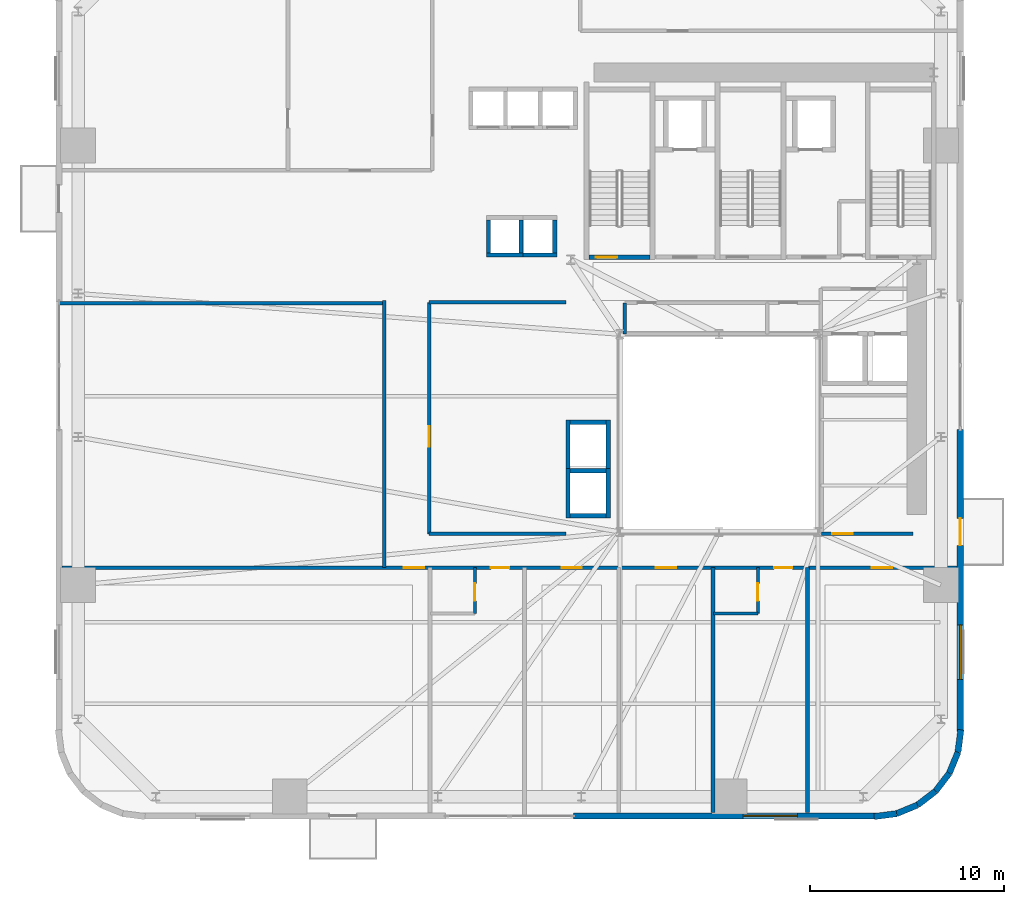
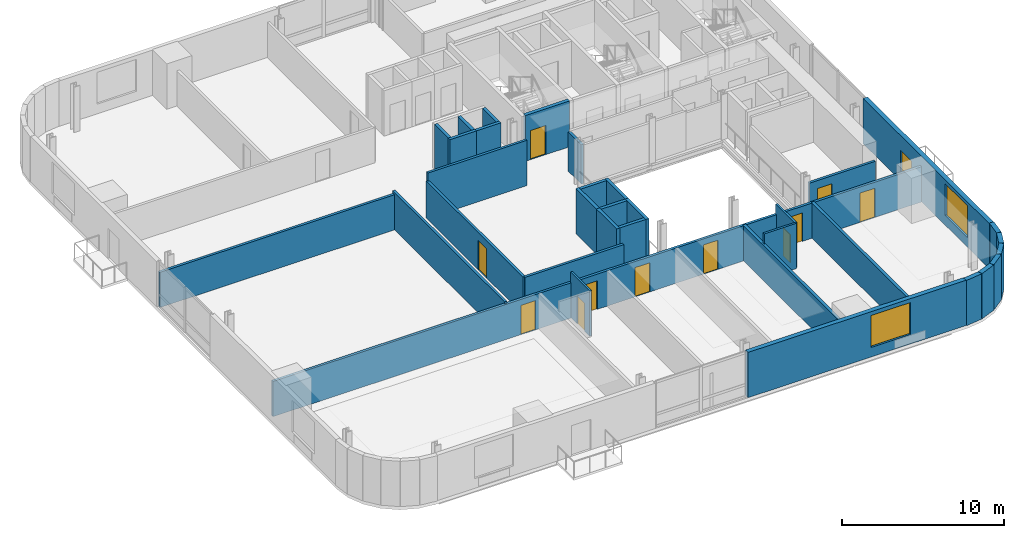
# One storey, part 6 of 13: 34 walls, 12 doors, 2 windows, 14 openings.
"""IFC4 building model written with IfcOpenShell, lengths in metres."""

from ifc_helpers import new_model, si_unit, direction, frame, frame_2d, origin, place, context, subcontext, project, spatial, rectangle, extrude, source, transform, mapped, material, layer, layer_set, type_object, element, fill, save


model = new_model("IFC4")

# Units and contexts
model_context = context("Model", 3, precision=1e-05, world=origin(), true_north=direction((0.0, 1.0)))
body_context = subcontext(model_context, "Body", "Model", "MODEL_VIEW")
ifc_project = project(units=[si_unit("LENGTHUNIT", "METRE"), si_unit("AREAUNIT", "SQUARE_METRE"), si_unit("VOLUMEUNIT", "CUBIC_METRE"), si_unit("PLANEANGLEUNIT", "RADIAN"), si_unit("MASSUNIT", "GRAM", prefix="KILO")], contexts=[model_context])

# Site, building, storey
site_placement = place(None, origin())
site = spatial("IfcSite", under=ifc_project, at=site_placement, CompositionType="ELEMENT")
building_placement = place(site_placement, origin())
building = spatial("IfcBuilding", under=site, at=building_placement, Name="Vardaveli Station Tower", CompositionType="ELEMENT")
storey_placement = place(building_placement, frame((0.0, 0.0, 49.5)))
storey = spatial("IfcBuildingStorey", under=building, at=storey_placement, Name="L12", CompositionType="ELEMENT", Elevation=49.5)

# Wall, opening, window
ifc_material_1 = material(Name="Precast concrete C45/55", Category="concrete")
ifc_layer_1 = layer(ifc_material_1, 0.320068359375, Name="Precast concrete C45/55")
ifc_layer_set_1 = layer_set([ifc_layer_1], Name="Precast concrete C45/55")
wall_type_1 = type_object("IfcWallType", Name="WAL-EXT-STONE-320", PredefinedType="SOLIDWALL", material=ifc_layer_set_1)
shared_shape_1 = source(origin(), body_context, "Body", "SweptSolid", [
    extrude(rectangle(XDim=15.599853515625, YDim=0.320068359375, at=frame_2d((7.7998046875, 0.0))), origin(), (0.0, 0.0, 1.0), 3.409912109375),
])
wall_1_placement = place(storey_placement, frame((28.800048828125, 1.9599609375, 0.0), z_axis=(0.0, 0.0, 1.0), x_axis=(1.0, 0.0, 0.0)))
wall_1 = element("IfcWall", 1, at=wall_1_placement, inside=storey, type_object=wall_type_1, Name="EW-L12-S2", PredefinedType="SOLIDWALL", context=body_context, shape_type="MappedRepresentation", body=[
    mapped(shared_shape_1, transform((0.0, 0.0, 0.0), scale=1.0)),
])
shared_shape_2 = source(origin(), body_context, "Body", "SweptSolid", [
    extrude(rectangle(XDim=2.800048828125, YDim=2.39990234375, at=frame_2d((1.39990234375, 1.199951171875))), frame((0.0, 0.169921875, 0.0), z_axis=(0.0, -1.0, 0.0), x_axis=(1.0, 0.0, 0.0)), (0.0, 0.0, 1.0), 0.340087890625),
])
opening_1_placement = place(wall_1_placement, frame((8.7451171875, 0.0, 0.719970703125)))
opening_1 = element("IfcOpeningElement", 2, at=opening_1_placement, cuts=wall_1, Name="Opening W-04", PredefinedType="OPENING", context=body_context, shape_type="MappedRepresentation", body=[
    mapped(shared_shape_2, transform((0.0, 0.0, 0.0), scale=1.0)),
])
ifc_material_2 = material(Name="Low-E solar-control glass", Category="glass")
window_type = type_object("IfcWindowType", Name="WIN-SUITE-2800x2400", PartitioningType="SINGLE_PANEL", PredefinedType="WINDOW", material=ifc_material_2)
shared_shape_3 = source(origin(), body_context, "Body", "SweptSolid", [
    extrude(rectangle(XDim=2.800048828125, YDim=2.39990234375, at=frame_2d((1.39990234375, 1.199951171875))), frame((0.0, 0.030029296875, 0.0), z_axis=(0.0, -1.0, 0.0), x_axis=(1.0, 0.0, 0.0)), (0.0, 0.0, 1.0), 0.06005859375),
])
window_1_placement = place(opening_1_placement, origin())
window_1 = element("IfcWindow", 3, at=window_1_placement, inside=storey, type_object=window_type, Name="WN-L12-S2", OverallHeight=2.39990234375, OverallWidth=2.800048828125, PartitioningType="SINGLE_PANEL", PredefinedType="WINDOW", context=body_context, shape_type="MappedRepresentation", body=[
    mapped(shared_shape_3, transform((0.0, 0.0, 0.0), scale=1.0)),
])
fill(opening_1, window_1)

# Wall, openings, door, window
wall_2_placement = place(storey_placement, frame((48.739990234375, 6.300048828125, 0.0), z_axis=(0.0, 0.0, 1.0), x_axis=(0.0, 1.0, 0.0)))
wall_2 = element("IfcWall", 4, at=wall_2_placement, inside=storey, type_object=wall_type_1, Name="EW-L12-E1", PredefinedType="SOLIDWALL", context=body_context, shape_type="MappedRepresentation", body=[
    mapped(shared_shape_1, transform((0.0, 0.0, 0.0), scale=1.0)),
])
shared_shape_4 = source(origin(), body_context, "Body", "SweptSolid", [
    extrude(rectangle(XDim=1.39990234375, YDim=2.300048828125, at=frame_2d((0.699951171875, 1.14990234375))), frame((0.0, 0.169921875, 0.0), z_axis=(0.0, -1.0, 0.0), x_axis=(1.0, 0.0, 0.0)), (0.0, 0.0, 1.0), 0.340087890625),
])
opening_2_placement = place(wall_2_placement, frame((9.6103515625, 0.0, 0.0)))
opening_2 = element("IfcOpeningElement", 5, at=opening_2_placement, cuts=wall_2, Name="Opening D-09", PredefinedType="OPENING", context=body_context, shape_type="MappedRepresentation", body=[
    mapped(shared_shape_4, transform((0.0, 0.0, 0.0), scale=1.0)),
])
opening_3_placement = place(wall_2_placement, frame((2.705078125, 0.0, 0.719970703125)))
opening_3 = element("IfcOpeningElement", 6, at=opening_3_placement, cuts=wall_2, Name="Opening W-04", PredefinedType="OPENING", context=body_context, shape_type="MappedRepresentation", body=[
    mapped(shared_shape_2, transform((0.0, 0.0, 0.0), scale=1.0)),
])
ifc_material_3 = material(Name="Thermally broken aluminium glass", Category="aluminium")
door_type_1 = type_object("IfcDoorType", Name="DR-LOG-1400x2300", OperationType="DOUBLE_DOOR_SLIDING", PredefinedType="DOOR", material=ifc_material_3)
shared_shape_5 = source(origin(), body_context, "Body", "SweptSolid", [
    extrude(rectangle(XDim=1.39990234375, YDim=2.300048828125, at=frame_2d((0.699951171875, 1.14990234375))), frame((0.0, 0.02490234375, 0.0), z_axis=(0.0, -1.0, 0.0), x_axis=(1.0, 0.0, 0.0)), (0.0, 0.0, 1.0), 0.050048828125),
])
door_1_placement = place(opening_2_placement, frame((1.39990234375, 0.0, 0.0), z_axis=(0.0, 0.0, 1.0), x_axis=(-1.0, 0.0, 0.0)))
door_1 = element("IfcDoor", 7, at=door_1_placement, inside=storey, type_object=door_type_1, Name="DLG-L12-E", OperationType="DOUBLE_DOOR_SLIDING", OverallHeight=2.300048828125, OverallWidth=1.39990234375, PredefinedType="DOOR", context=body_context, shape_type="MappedRepresentation", body=[
    mapped(shared_shape_5, transform((0.0, 0.0, 0.0), scale=1.0)),
])
fill(opening_2, door_1)
window_2_placement = place(opening_3_placement, origin())
window_2 = element("IfcWindow", 8, at=window_2_placement, inside=storey, type_object=window_type, Name="WN-L12-E1", OverallHeight=2.39990234375, OverallWidth=2.800048828125, PartitioningType="SINGLE_PANEL", PredefinedType="WINDOW", context=body_context, shape_type="MappedRepresentation", body=[
    mapped(shared_shape_3, transform((0.0, 0.0, 0.0), scale=1.0)),
])
fill(opening_3, window_2)

# Walls
shared_shape_6 = source(origin(), body_context, "Body", "SweptSolid", [
    extrude(rectangle(XDim=1.170654296875, YDim=0.320068359375, at=frame_2d((0.58544921875, 0.0))), origin(), (0.0, 0.0, 1.0), 3.409912109375),
])
wall_3_placement = place(storey_placement, frame((48.62548828125, 5.23974609375, 0.0), z_axis=(0.0, 0.0, 1.0), x_axis=(0.128269133229, 0.991739395941, 0.0)))
element("IfcWall", 9, at=wall_3_placement, inside=storey, type_object=wall_type_1, Name="EW-L12-CR2-6", PredefinedType="SOLIDWALL", context=body_context, shape_type="MappedRepresentation", body=[
    mapped(shared_shape_6, transform((0.0, 0.0, 0.0), scale=1.0)),
])
shared_shape_7 = source(origin(), body_context, "Body", "SweptSolid", [
    extrude(rectangle(XDim=1.1689453125, YDim=0.320068359375, at=frame_2d((0.58447265625, 0.0))), origin(), (0.0, 0.0, 1.0), 3.409912109375),
])
for number, where, z_axis, x_axis, name in (
    (10, (47.46875, 3.231201171875, 0.0), (0.0, 0.0, 1.0), (0.608387696831, 0.793639975269, 0.0), "EW-L12-CR2-4"),
    (11, (48.179931640625, 4.158935546875, 0.0), (0.0, 0.0, 1.0), (0.381127904695, 0.924522320046, 0.0), "EW-L12-CR2-5"),
):
    element("IfcWall", number, at=place(storey_placement, frame(where, z_axis=z_axis, x_axis=x_axis)), inside=storey, type_object=wall_type_1, Name=name, PredefinedType="SOLIDWALL", context=body_context, shape_type="MappedRepresentation", body=[
        mapped(shared_shape_7, transform((0.0, 0.0, 0.0), scale=1.0)),
    ])
shared_shape_8 = source(origin(), body_context, "Body", "SweptSolid", [
    extrude(rectangle(XDim=1.168701171875, YDim=0.320068359375, at=frame_2d((0.58447265625, 0.0))), origin(), (0.0, 0.0, 1.0), 3.409912109375),
])
wall_4_placement = place(storey_placement, frame((46.541259765625, 2.520263671875, 0.0), z_axis=(0.0, 0.0, 1.0), x_axis=(0.793663520347, 0.608356981114, 0.0)))
element("IfcWall", 12, at=wall_4_placement, inside=storey, type_object=wall_type_1, Name="EW-L12-CR2-3", PredefinedType="SOLIDWALL", context=body_context, shape_type="MappedRepresentation", body=[
    mapped(shared_shape_8, transform((0.0, 0.0, 0.0), scale=1.0)),
])
shared_shape_9 = source(origin(), body_context, "Body", "SweptSolid", [
    extrude(rectangle(XDim=1.16943359375, YDim=0.320068359375, at=frame_2d((0.584716796875, 0.0))), origin(), (0.0, 0.0, 1.0), 3.409912109375),
])
wall_5_placement = place(storey_placement, frame((45.460205078125, 2.074462890625, 0.0), z_axis=(0.0, 0.0, 1.0), x_axis=(0.924479075121, 0.381232789334, 0.0)))
element("IfcWall", 13, at=wall_5_placement, inside=storey, type_object=wall_type_1, Name="EW-L12-CR2-2", PredefinedType="SOLIDWALL", context=body_context, shape_type="MappedRepresentation", body=[
    mapped(shared_shape_9, transform((0.0, 0.0, 0.0), scale=1.0)),
])
shared_shape_10 = source(origin(), body_context, "Body", "SweptSolid", [
    extrude(rectangle(XDim=1.170166015625, YDim=0.320068359375, at=frame_2d((0.5849609375, 0.0))), origin(), (0.0, 0.0, 1.0), 3.409912109375),
])
wall_6_placement = place(storey_placement, frame((44.299560546875, 1.924560546875, 0.0), z_axis=(0.0, 0.0, 1.0), x_axis=(0.991762485493, 0.128090485085, 0.0)))
element("IfcWall", 14, at=wall_6_placement, inside=storey, type_object=wall_type_1, Name="EW-L12-CR2-1", PredefinedType="SOLIDWALL", context=body_context, shape_type="MappedRepresentation", body=[
    mapped(shared_shape_10, transform((0.0, 0.0, 0.0), scale=1.0)),
])

# Wall, opening, door
ifc_material_4 = material(Name="Concrete C40/50", Category="concrete")
ifc_layer_2 = layer(ifc_material_4, 0.25, Name="Concrete C40/50")
ifc_layer_set_2 = layer_set([ifc_layer_2], Name="Concrete C40/50")
wall_type_2 = type_object("IfcWallType", Name="WAL-SHAFT-250", PredefinedType="SOLIDWALL", material=ifc_layer_set_2)
shared_shape_11 = source(origin(), body_context, "Body", "SweptSolid", [
    extrude(rectangle(XDim=3.14990234375, YDim=0.25, at=frame_2d((1.574951171875, 0.0))), origin(), (0.0, 0.0, 1.0), 3.449951171875),
])
wall_7_placement = place(storey_placement, frame((29.60009765625, 30.77490234375, 0.0), z_axis=(0.0, 0.0, 1.0), x_axis=(1.0, 0.0, 0.0)))
wall_7 = element("IfcWall", 15, at=wall_7_placement, inside=storey, type_object=wall_type_2, Name="W-L12-ST-1S", PredefinedType="SOLIDWALL", context=body_context, shape_type="MappedRepresentation", body=[
    mapped(shared_shape_11, transform((0.0, 0.0, 0.0), scale=1.0)),
])
shared_shape_12 = source(origin(), body_context, "Body", "SweptSolid", [
    extrude(rectangle(XDim=1.10009765625, YDim=2.199951171875, at=frame_2d((0.550048828125, 1.10009765625))), frame((0.0, 0.135009765625, 0.0), z_axis=(0.0, -1.0, 0.0), x_axis=(1.0, 0.0, 0.0)), (0.0, 0.0, 1.0), 0.27001953125),
])
opening_4_placement = place(wall_7_placement, frame((0.35009765625, 0.0, 0.0)))
opening_4 = element("IfcOpeningElement", 16, at=opening_4_placement, cuts=wall_7, Name="Opening D-04", PredefinedType="OPENING", context=body_context, shape_type="MappedRepresentation", body=[
    mapped(shared_shape_12, transform((0.0, 0.0, 0.0), scale=1.0)),
])
ifc_material_5 = material(Name="Steel smokeproof fire doorset", Category="steel")
door_type_2 = type_object("IfcDoorType", Name="DR-ST-1100x2200", OperationType="NOTDEFINED", PredefinedType="DOOR", material=ifc_material_5)
shared_shape_13 = source(origin(), body_context, "Body", "SweptSolid", [
    extrude(rectangle(XDim=1.10009765625, YDim=2.199951171875, at=frame_2d((0.550048828125, 1.10009765625))), frame((0.0, 0.02490234375, 0.0), z_axis=(0.0, -1.0, 0.0), x_axis=(1.0, 0.0, 0.0)), (0.0, 0.0, 1.0), 0.050048828125),
])
door_2_placement = place(opening_4_placement, origin())
door_2 = element("IfcDoor", 17, at=door_2_placement, inside=storey, type_object=door_type_2, Name="DST-1-L12", OperationType="SINGLE_SWING_LEFT", OverallHeight=2.199951171875, OverallWidth=1.10009765625, PredefinedType="DOOR", context=body_context, shape_type="MappedRepresentation", body=[
    mapped(shared_shape_13, transform((0.0, 0.0, 0.0), scale=1.0)),
])
fill(opening_4, door_2)

# Walls
ifc_layer_3 = layer(ifc_material_4, 0.219970703125, Name="Concrete C40/50")
ifc_layer_set_3 = layer_set([ifc_layer_3], Name="Concrete C40/50")
wall_type_3 = type_object("IfcWallType", Name="WAL-FFLOBBY-220", PredefinedType="SOLIDWALL", material=ifc_layer_set_3)
shared_shape_14 = source(origin(), body_context, "Body", "SweptSolid", [
    extrude(rectangle(XDim=1.89013671875, YDim=0.219970703125, at=frame_2d((0.945068359375, 0.0))), origin(), (0.0, 0.0, 1.0), 3.409912109375),
])
for number, where, z_axis, x_axis, name in (
    (18, (24.304931640625, 30.889892578125, 0.0), (0.0, 0.0, 1.0), (1.0, 0.0, 0.0), "SHW-SHU-01-L12-S"),
    (19, (26.054931640625, 30.889892578125, 0.0), (0.0, 0.0, 1.0), (1.0, 0.0, 0.0), "SHW-SHU-02-L12-S"),
):
    element("IfcWall", number, at=place(storey_placement, frame(where, z_axis=z_axis, x_axis=x_axis)), inside=storey, type_object=wall_type_3, Name=name, PredefinedType="SOLIDWALL", context=body_context, shape_type="MappedRepresentation", body=[
        mapped(shared_shape_14, transform((0.0, 0.0, 0.0), scale=1.0)),
    ])
shared_shape_15 = source(origin(), body_context, "Body", "SweptSolid", [
    extrude(rectangle(XDim=1.699951171875, YDim=0.219970703125, at=frame_2d((0.85009765625, 0.0))), origin(), (0.0, 0.0, 1.0), 3.409912109375),
])
for number, where, z_axis, x_axis, name in (
    (20, (24.4150390625, 31.0, 0.0), (0.0, 0.0, 1.0), (0.0, 1.0, 0.0), "SHW-SHU-01-L12-W"),
    (21, (26.0849609375, 31.0, 0.0), (0.0, 0.0, 1.0), (0.0, 1.0, 0.0), "SHW-SHU-01-L12-E"),
    (22, (27.8349609375, 31.0, 0.0), (0.0, 0.0, 1.0), (0.0, 1.0, 0.0), "SHW-SHU-02-L12-E"),
):
    element("IfcWall", number, at=place(storey_placement, frame(where, z_axis=z_axis, x_axis=x_axis)), inside=storey, type_object=wall_type_3, Name=name, PredefinedType="SOLIDWALL", context=body_context, shape_type="MappedRepresentation", body=[
        mapped(shared_shape_15, transform((0.0, 0.0, 0.0), scale=1.0)),
    ])
shared_shape_16 = source(origin(), body_context, "Body", "SweptSolid", [
    extrude(rectangle(XDim=1.85009765625, YDim=0.219970703125, at=frame_2d((0.925048828125, 0.0))), origin(), (0.0, 0.0, 1.0), 3.409912109375),
])
for number, where, z_axis, x_axis, name in (
    (23, (28.625, 17.43994140625, 0.0), (0.0, 0.0, 1.0), (1.0, 0.0, 0.0), "SHW-OBS-01-L12-S"),
    (24, (28.625, 19.760009765625, 0.0), (0.0, 0.0, 1.0), (1.0, 0.0, 0.0), "SHW-OBS-01-L12-N"),
    (25, (28.625, 22.260009765625, 0.0), (0.0, 0.0, 1.0), (1.0, 0.0, 0.0), "SHW-OBS-02-L12-N"),
):
    element("IfcWall", number, at=place(storey_placement, frame(where, z_axis=z_axis, x_axis=x_axis)), inside=storey, type_object=wall_type_3, Name=name, PredefinedType="SOLIDWALL", context=body_context, shape_type="MappedRepresentation", body=[
        mapped(shared_shape_16, transform((0.0, 0.0, 0.0), scale=1.0)),
    ])
shared_shape_17 = source(origin(), body_context, "Body", "SweptSolid", [
    extrude(rectangle(XDim=2.5400390625, YDim=0.219970703125, at=frame_2d((1.27001953125, 0.0))), origin(), (0.0, 0.0, 1.0), 3.409912109375),
])
for number, where, z_axis, x_axis, name in (
    (26, (28.514892578125, 17.330078125, 0.0), (0.0, 0.0, 1.0), (0.0, 1.0, 0.0), "SHW-OBS-01-L12-W"),
    (27, (30.5849609375, 17.330078125, 0.0), (0.0, 0.0, 1.0), (0.0, 1.0, 0.0), "SHW-OBS-01-L12-E"),
    (28, (28.514892578125, 19.830078125, 0.0), (0.0, 0.0, 1.0), (0.0, 1.0, 0.0), "SHW-OBS-02-L12-W"),
    (29, (30.5849609375, 19.830078125, 0.0), (0.0, 0.0, 1.0), (0.0, 1.0, 0.0), "SHW-OBS-02-L12-E"),
):
    element("IfcWall", number, at=place(storey_placement, frame(where, z_axis=z_axis, x_axis=x_axis)), inside=storey, type_object=wall_type_3, Name=name, PredefinedType="SOLIDWALL", context=body_context, shape_type="MappedRepresentation", body=[
        mapped(shared_shape_17, transform((0.0, 0.0, 0.0), scale=1.0)),
    ])

# Wall, opening, door
ifc_material_6 = material(Name="Fire-rated gypsum stud partition")
ifc_layer_4 = layer(ifc_material_6, 0.179931640625, Name="Fire-rated gypsum stud partition")
ifc_layer_set_4 = layer_set([ifc_layer_4], Name="Fire-rated gypsum stud partition")
wall_type_4 = type_object("IfcWallType", Name="WAL-CORR-180", PredefinedType="PARTITIONING", material=ifc_layer_set_4)
shared_shape_18 = source(origin(), body_context, "Body", "SweptSolid", [
    extrude(rectangle(XDim=11.93994140625, YDim=0.179931640625, at=frame_2d((5.969970703125, 0.0))), origin(), (0.0, 0.0, 1.0), 2.802001953125),
])
wall_8_placement = place(storey_placement, frame((21.35009765625, 16.5, 0.0), z_axis=(0.0, 0.0, 1.0), x_axis=(0.0, 1.0, 0.0)))
wall_8 = element("IfcWall", 30, at=wall_8_placement, inside=storey, type_object=wall_type_4, Name="W-L12-ATW-W", PredefinedType="PARTITIONING", context=body_context, shape_type="MappedRepresentation", body=[
    mapped(shared_shape_18, transform((0.0, 0.0, 0.0), scale=1.0)),
])
shared_shape_19 = source(origin(), body_context, "Body", "SweptSolid", [
    extrude(rectangle(XDim=1.050048828125, YDim=2.199951171875, at=frame_2d((0.52490234375, 1.10009765625))), frame((0.0, 0.10009765625, 0.0), z_axis=(0.0, -1.0, 0.0), x_axis=(1.0, 0.0, 0.0)), (0.0, 0.0, 1.0), 0.199951171875),
])
opening_5_placement = place(wall_8_placement, frame((4.5, 0.0, 0.0)))
opening_5 = element("IfcOpeningElement", 31, at=opening_5_placement, cuts=wall_8, Name="Opening D-05", PredefinedType="OPENING", context=body_context, shape_type="MappedRepresentation", body=[
    mapped(shared_shape_19, transform((0.0, 0.0, 0.0), scale=1.0)),
])
ifc_material_7 = material(Name="Walnut veneer acoustic fire door")
door_type_3 = type_object("IfcDoorType", Name="DR-SUITE-1050x2200", OperationType="NOTDEFINED", PredefinedType="DOOR", material=ifc_material_7)
shared_shape_20 = source(origin(), body_context, "Body", "SweptSolid", [
    extrude(rectangle(XDim=1.050048828125, YDim=2.199951171875, at=frame_2d((0.52490234375, 1.10009765625))), frame((0.0, 0.02490234375, 0.0), z_axis=(0.0, -1.0, 0.0), x_axis=(1.0, 0.0, 0.0)), (0.0, 0.0, 1.0), 0.050048828125),
])
door_3_placement = place(opening_5_placement, origin())
door_3 = element("IfcDoor", 32, at=door_3_placement, inside=storey, type_object=door_type_3, Name="D-L12-ATW1", OperationType="SINGLE_SWING_RIGHT", OverallHeight=2.199951171875, OverallWidth=1.050048828125, PredefinedType="DOOR", context=body_context, shape_type="MappedRepresentation", body=[
    mapped(shared_shape_20, transform((0.0, 0.0, 0.0), scale=1.0)),
])
fill(opening_5, door_3)

shared_shape_21 = source(origin(), body_context, "Body", "SweptSolid", [
    extrude(rectangle(XDim=4.699951171875, YDim=0.179931640625, at=frame_2d((2.35009765625, 0.0))), origin(), (0.0, 0.0, 1.0), 2.802001953125),
])
wall_9_placement = place(storey_placement, frame((41.60009765625, 16.5, 0.0), z_axis=(0.0, 0.0, 1.0), x_axis=(1.0, 0.0, 0.0)))
wall_9 = element("IfcWall", 33, at=wall_9_placement, inside=storey, type_object=wall_type_4, Name="W-L12-ATE-S", PredefinedType="PARTITIONING", context=body_context, shape_type="MappedRepresentation", body=[
    mapped(shared_shape_21, transform((0.0, 0.0, 0.0), scale=1.0)),
])
opening_6_placement = place(wall_9_placement, frame((0.550048828125, 0.0, 0.0)))
opening_6 = element("IfcOpeningElement", 34, at=opening_6_placement, cuts=wall_9, Name="Opening D-05", PredefinedType="OPENING", context=body_context, shape_type="MappedRepresentation", body=[
    mapped(shared_shape_19, transform((0.0, 0.0, 0.0), scale=1.0)),
])
door_4_placement = place(opening_6_placement, origin())
door_4 = element("IfcDoor", 35, at=door_4_placement, inside=storey, type_object=door_type_3, Name="D-L12-ATE1", OperationType="SINGLE_SWING_RIGHT", OverallHeight=2.199951171875, OverallWidth=1.050048828125, PredefinedType="DOOR", context=body_context, shape_type="MappedRepresentation", body=[
    mapped(shared_shape_20, transform((0.0, 0.0, 0.0), scale=1.0)),
])
fill(opening_6, door_4)

ifc_material_8 = material(Name="Moisture-resistant stud partition")
ifc_layer_5 = layer(ifc_material_8, 0.14990234375, Name="Moisture-resistant stud partition")
ifc_layer_set_5 = layer_set([ifc_layer_5], Name="Moisture-resistant stud partition")
wall_type_5 = type_object("IfcWallType", Name="WAL-WET-150", PredefinedType="PARTITIONING", material=ifc_layer_set_5)
shared_shape_22 = source(origin(), body_context, "Body", "SweptSolid", [
    extrude(rectangle(XDim=2.360107421875, YDim=0.14990234375, at=frame_2d((1.18017578125, 0.0))), origin(), (0.0, 0.0, 1.0), 3.409912109375),
])
wall_10_placement = place(storey_placement, frame((23.7099609375, 12.39990234375, 0.0), z_axis=(0.0, 0.0, 1.0), x_axis=(0.0, 1.0, 0.0)))
wall_10 = element("IfcWall", 36, at=wall_10_placement, inside=storey, type_object=wall_type_5, Name="W-L12-BS2-E", PredefinedType="PARTITIONING", context=body_context, shape_type="MappedRepresentation", body=[
    mapped(shared_shape_22, transform((0.0, 0.0, 0.0), scale=1.0)),
])
shared_shape_23 = source(origin(), body_context, "Body", "SweptSolid", [
    extrude(rectangle(XDim=0.89990234375, YDim=2.10009765625, at=frame_2d((0.449951171875, 1.050048828125))), frame((0.0, 0.0849609375, 0.0), z_axis=(0.0, -1.0, 0.0), x_axis=(1.0, 0.0, 0.0)), (0.0, 0.0, 1.0), 0.169921875),
])
opening_7_placement = place(wall_10_placement, frame((0.64990234375, 0.0, 0.0)))
opening_7 = element("IfcOpeningElement", 37, at=opening_7_placement, cuts=wall_10, Name="Opening D-08", PredefinedType="OPENING", context=body_context, shape_type="MappedRepresentation", body=[
    mapped(shared_shape_23, transform((0.0, 0.0, 0.0), scale=1.0)),
])
ifc_material_9 = material(Name="Moisture-resistant oak door")
door_type_4 = type_object("IfcDoorType", Name="DR-BATH-900x2100", OperationType="NOTDEFINED", PredefinedType="DOOR", material=ifc_material_9)
shared_shape_24 = source(origin(), body_context, "Body", "SweptSolid", [
    extrude(rectangle(XDim=0.89990234375, YDim=2.10009765625, at=frame_2d((0.449951171875, 1.050048828125))), frame((0.0, 0.02490234375, 0.0), z_axis=(0.0, -1.0, 0.0), x_axis=(1.0, 0.0, 0.0)), (0.0, 0.0, 1.0), 0.050048828125),
])
door_5_placement = place(opening_7_placement, origin())
door_5 = element("IfcDoor", 38, at=door_5_placement, inside=storey, type_object=door_type_4, Name="D-L12-BS2", OperationType="SINGLE_SWING_LEFT", OverallHeight=2.10009765625, OverallWidth=0.89990234375, PredefinedType="DOOR", context=body_context, shape_type="MappedRepresentation", body=[
    mapped(shared_shape_24, transform((0.0, 0.0, 0.0), scale=1.0)),
])
fill(opening_7, door_5)

wall_11_placement = place(storey_placement, frame((38.31005859375, 12.39990234375, 0.0), z_axis=(0.0, 0.0, 1.0), x_axis=(0.0, 1.0, 0.0)))
wall_11 = element("IfcWall", 39, at=wall_11_placement, inside=storey, type_object=wall_type_5, Name="W-L12-BS5-E", PredefinedType="PARTITIONING", context=body_context, shape_type="MappedRepresentation", body=[
    mapped(shared_shape_22, transform((0.0, 0.0, 0.0), scale=1.0)),
])
opening_8_placement = place(wall_11_placement, frame((0.64990234375, 0.0, 0.0)))
opening_8 = element("IfcOpeningElement", 40, at=opening_8_placement, cuts=wall_11, Name="Opening D-08", PredefinedType="OPENING", context=body_context, shape_type="MappedRepresentation", body=[
    mapped(shared_shape_23, transform((0.0, 0.0, 0.0), scale=1.0)),
])
door_6_placement = place(opening_8_placement, origin())
door_6 = element("IfcDoor", 41, at=door_6_placement, inside=storey, type_object=door_type_4, Name="D-L12-BS5", OperationType="SINGLE_SWING_RIGHT", OverallHeight=2.10009765625, OverallWidth=0.89990234375, PredefinedType="DOOR", context=body_context, shape_type="MappedRepresentation", body=[
    mapped(shared_shape_24, transform((0.0, 0.0, 0.0), scale=1.0)),
])
fill(opening_8, door_6)

# Wall
shared_shape_25 = source(origin(), body_context, "Body", "SweptSolid", [
    extrude(rectangle(XDim=1.599853515625, YDim=0.179931640625, at=frame_2d((0.7998046875, 0.0))), origin(), (0.0, 0.0, 1.0), 2.951904296875),
])
wall_12_placement = place(storey_placement, frame((31.449951171875, 26.820068359375, 0.0), z_axis=(0.0, 0.0, 1.0), x_axis=(0.0, 1.0, 0.0)))
element("IfcWall", 42, at=wall_12_placement, inside=storey, type_object=wall_type_4, Name="W-L12-HKP0-W", PredefinedType="PARTITIONING", context=body_context, shape_type="MappedRepresentation", body=[
    mapped(shared_shape_25, transform((0.0, 0.0, 0.0), scale=1.0)),
])

# Wall, openings, doors
shared_shape_26 = source(origin(), body_context, "Body", "SweptSolid", [
    extrude(rectangle(XDim=46.15576171875, YDim=0.179931640625, at=frame_2d((23.077880859375, 0.0))), origin(), (0.0, 0.0, 1.0), 2.652099609375),
])
wall_13_placement = place(storey_placement, frame((2.422119140625, 14.760009765625, 0.0), z_axis=(0.0, 0.0, 1.0), x_axis=(1.0, 0.0, 0.0)))
wall_13 = element("IfcWall", 43, at=wall_13_placement, inside=storey, type_object=wall_type_4, Name="W-L12-CS", PredefinedType="PARTITIONING", context=body_context, shape_type="MappedRepresentation", body=[
    mapped(shared_shape_26, transform((0.0, 0.0, 0.0), scale=1.0)),
])
opening_9_placement = place(wall_13_placement, frame((17.6279296875, 0.0, 0.0)))
opening_9 = element("IfcOpeningElement", 44, at=opening_9_placement, cuts=wall_13, Name="Opening D-05", PredefinedType="OPENING", context=body_context, shape_type="MappedRepresentation", body=[
    mapped(shared_shape_19, transform((0.0, 0.0, 0.0), scale=1.0)),
])
shared_shape_27 = source(origin(), body_context, "Body", "SweptSolid", [
    extrude(rectangle(XDim=0.949951171875, YDim=2.14990234375, at=frame_2d((0.47509765625, 1.074951171875))), frame((0.0, 0.10009765625, 0.0), z_axis=(0.0, -1.0, 0.0), x_axis=(1.0, 0.0, 0.0)), (0.0, 0.0, 1.0), 0.199951171875),
])
opening_10_placement = place(wall_13_placement, frame((22.1162109375, 0.0, 0.0)))
opening_10 = element("IfcOpeningElement", 45, at=opening_10_placement, cuts=wall_13, Name="Opening D-06", PredefinedType="OPENING", context=body_context, shape_type="MappedRepresentation", body=[
    mapped(shared_shape_27, transform((0.0, 0.0, 0.0), scale=1.0)),
])
opening_11_placement = place(wall_13_placement, frame((25.758056640625, 0.0, 0.0)))
opening_11 = element("IfcOpeningElement", 46, at=opening_11_placement, cuts=wall_13, Name="Opening D-05", PredefinedType="OPENING", context=body_context, shape_type="MappedRepresentation", body=[
    mapped(shared_shape_19, transform((0.0, 0.0, 0.0), scale=1.0)),
])
opening_12_placement = place(wall_13_placement, frame((30.62451171875, 0.0, 0.0)))
opening_12 = element("IfcOpeningElement", 47, at=opening_12_placement, cuts=wall_13, Name="Opening D-05", PredefinedType="OPENING", context=body_context, shape_type="MappedRepresentation", body=[
    mapped(shared_shape_19, transform((0.0, 0.0, 0.0), scale=1.0)),
])
opening_13_placement = place(wall_13_placement, frame((36.71630859375, 0.0, 0.0)))
opening_13 = element("IfcOpeningElement", 48, at=opening_13_placement, cuts=wall_13, Name="Opening D-06", PredefinedType="OPENING", context=body_context, shape_type="MappedRepresentation", body=[
    mapped(shared_shape_27, transform((0.0, 0.0, 0.0), scale=1.0)),
])
opening_14_placement = place(wall_13_placement, frame((41.766357421875, 0.0, 0.0)))
opening_14 = element("IfcOpeningElement", 49, at=opening_14_placement, cuts=wall_13, Name="Opening D-05", PredefinedType="OPENING", context=body_context, shape_type="MappedRepresentation", body=[
    mapped(shared_shape_19, transform((0.0, 0.0, 0.0), scale=1.0)),
])
door_7_placement = place(opening_9_placement, origin())
door_7 = element("IfcDoor", 50, at=door_7_placement, inside=storey, type_object=door_type_3, Name="D-L12-SA1", OperationType="SINGLE_SWING_RIGHT", OverallHeight=2.199951171875, OverallWidth=1.050048828125, PredefinedType="DOOR", context=body_context, shape_type="MappedRepresentation", body=[
    mapped(shared_shape_20, transform((0.0, 0.0, 0.0), scale=1.0)),
])
fill(opening_9, door_7)
door_8_placement = place(opening_11_placement, origin())
door_8 = element("IfcDoor", 51, at=door_8_placement, inside=storey, type_object=door_type_3, Name="D-L12-SA3", OperationType="SINGLE_SWING_RIGHT", OverallHeight=2.199951171875, OverallWidth=1.050048828125, PredefinedType="DOOR", context=body_context, shape_type="MappedRepresentation", body=[
    mapped(shared_shape_20, transform((0.0, 0.0, 0.0), scale=1.0)),
])
fill(opening_11, door_8)
door_9_placement = place(opening_12_placement, origin())
door_9 = element("IfcDoor", 52, at=door_9_placement, inside=storey, type_object=door_type_3, Name="D-L12-SA4", OperationType="SINGLE_SWING_LEFT", OverallHeight=2.199951171875, OverallWidth=1.050048828125, PredefinedType="DOOR", context=body_context, shape_type="MappedRepresentation", body=[
    mapped(shared_shape_20, transform((0.0, 0.0, 0.0), scale=1.0)),
])
fill(opening_12, door_9)
door_10_placement = place(opening_14_placement, origin())
door_10 = element("IfcDoor", 53, at=door_10_placement, inside=storey, type_object=door_type_3, Name="D-L12-SA6", OperationType="SINGLE_SWING_LEFT", OverallHeight=2.199951171875, OverallWidth=1.050048828125, PredefinedType="DOOR", context=body_context, shape_type="MappedRepresentation", body=[
    mapped(shared_shape_20, transform((0.0, 0.0, 0.0), scale=1.0)),
])
fill(opening_14, door_10)
ifc_material_10 = material(Name="Oak veneer acoustic fire door")
door_type_5 = type_object("IfcDoorType", Name="DR-GUEST-950x2150", OperationType="NOTDEFINED", PredefinedType="DOOR", material=ifc_material_10)
shared_shape_28 = source(origin(), body_context, "Body", "SweptSolid", [
    extrude(rectangle(XDim=0.949951171875, YDim=2.14990234375, at=frame_2d((0.47509765625, 1.074951171875))), frame((0.0, 0.02490234375, 0.0), z_axis=(0.0, -1.0, 0.0), x_axis=(1.0, 0.0, 0.0)), (0.0, 0.0, 1.0), 0.050048828125),
])
door_11_placement = place(opening_10_placement, origin())
door_11 = element("IfcDoor", 54, at=door_11_placement, inside=storey, type_object=door_type_5, Name="D-L12-GS2", OperationType="SINGLE_SWING_LEFT", OverallHeight=2.14990234375, OverallWidth=0.949951171875, PredefinedType="DOOR", context=body_context, shape_type="MappedRepresentation", body=[
    mapped(shared_shape_28, transform((0.0, 0.0, 0.0), scale=1.0)),
])
fill(opening_10, door_11)
door_12_placement = place(opening_13_placement, origin())
door_12 = element("IfcDoor", 55, at=door_12_placement, inside=storey, type_object=door_type_5, Name="D-L12-GS5", OperationType="SINGLE_SWING_RIGHT", OverallHeight=2.14990234375, OverallWidth=0.949951171875, PredefinedType="DOOR", context=body_context, shape_type="MappedRepresentation", body=[
    mapped(shared_shape_28, transform((0.0, 0.0, 0.0), scale=1.0)),
])
fill(opening_13, door_12)

# Walls
shared_shape_29 = source(origin(), body_context, "Body", "SweptSolid", [
    extrude(rectangle(XDim=2.2900390625, YDim=0.14990234375, at=frame_2d((1.14501953125, 0.0))), origin(), (0.0, 0.0, 1.0), 3.409912109375),
])
wall_14_placement = place(storey_placement, frame((36.02001953125, 12.39990234375, 0.0), z_axis=(0.0, 0.0, 1.0), x_axis=(1.0, 0.0, 0.0)))
element("IfcWall", 56, at=wall_14_placement, inside=storey, type_object=wall_type_5, Name="W-L12-BS5-S", PredefinedType="PARTITIONING", context=body_context, shape_type="MappedRepresentation", body=[
    mapped(shared_shape_29, transform((0.0, 0.0, 0.0), scale=1.0)),
])
shared_shape_30 = source(origin(), body_context, "Body", "SweptSolid", [
    extrude(rectangle(XDim=13.7900390625, YDim=0.179931640625, at=frame_2d((6.89501953125, 0.0))), origin(), (0.0, 0.0, 1.0), 2.802001953125),
])
wall_15_placement = place(storey_placement, frame((19.030029296875, 14.760009765625, 0.0), z_axis=(0.0, 0.0, 1.0), x_axis=(0.0, 1.0, 0.0)))
element("IfcWall", 57, at=wall_15_placement, inside=storey, type_object=wall_type_4, Name="W-L12-CW", PredefinedType="PARTITIONING", context=body_context, shape_type="MappedRepresentation", body=[
    mapped(shared_shape_30, transform((0.0, 0.0, 0.0), scale=1.0)),
])
shared_shape_31 = source(origin(), body_context, "Body", "SweptSolid", [
    extrude(rectangle(XDim=7.0498046875, YDim=0.179931640625, at=frame_2d((3.52490234375, 0.0))), origin(), (0.0, 0.0, 1.0), 2.802001953125),
])
wall_16_placement = place(storey_placement, frame((21.35009765625, 16.5, 0.0), z_axis=(0.0, 0.0, 1.0), x_axis=(1.0, 0.0, 0.0)))
element("IfcWall", 58, at=wall_16_placement, inside=storey, type_object=wall_type_4, Name="W-L12-ATW-S", PredefinedType="PARTITIONING", context=body_context, shape_type="MappedRepresentation", body=[
    mapped(shared_shape_31, transform((0.0, 0.0, 0.0), scale=1.0)),
])
shared_shape_32 = source(origin(), body_context, "Body", "SweptSolid", [
    extrude(rectangle(XDim=7.0498046875, YDim=0.179931640625, at=frame_2d((3.52490234375, 0.0))), origin(), (0.0, 0.0, 1.0), 3.409912109375),
])
wall_17_placement = place(storey_placement, frame((21.35009765625, 28.43994140625, 0.0), z_axis=(0.0, 0.0, 1.0), x_axis=(1.0, 0.0, 0.0)))
element("IfcWall", 59, at=wall_17_placement, inside=storey, type_object=wall_type_4, Name="W-L12-ATW-N", PredefinedType="PARTITIONING", context=body_context, shape_type="MappedRepresentation", body=[
    mapped(shared_shape_32, transform((0.0, 0.0, 0.0), scale=1.0)),
])
shared_shape_33 = source(origin(), body_context, "Body", "SweptSolid", [
    extrude(rectangle(XDim=16.800048828125, YDim=0.179931640625, at=frame_2d((8.39990234375, 0.0))), origin(), (0.0, 0.0, 1.0), 2.652099609375),
])
wall_18_placement = place(storey_placement, frame((2.22998046875, 28.39990234375, 0.0), z_axis=(0.0, 0.0, 1.0), x_axis=(1.0, 0.0, 0.0)))
element("IfcWall", 60, at=wall_18_placement, inside=storey, type_object=wall_type_4, Name="W-L12-CWN", PredefinedType="PARTITIONING", context=body_context, shape_type="MappedRepresentation", body=[
    mapped(shared_shape_33, transform((0.0, 0.0, 0.0), scale=1.0)),
])
ifc_material_11 = material(Name="Acoustic twin-stud gypsum partition")
ifc_layer_6 = layer(ifc_material_11, 0.199951171875, Name="Acoustic twin-stud gypsum partition")
ifc_layer_set_6 = layer_set([ifc_layer_6], Name="Acoustic twin-stud gypsum partition")
wall_type_6 = type_object("IfcWallType", Name="WAL-PARTY-200", PredefinedType="PARTITIONING", material=ifc_layer_set_6)
shared_shape_34 = source(origin(), body_context, "Body", "SweptSolid", [
    extrude(rectangle(XDim=12.637939453125, YDim=0.199951171875, at=frame_2d((6.31884765625, 0.0))), origin(), (0.0, 0.0, 1.0), 2.652099609375),
])
for number, where, z_axis, x_axis, name in (
    (61, (36.0, 2.1220703125, 0.0), (0.0, 0.0, 1.0), (0.0, 1.0, 0.0), "W-L12-PS4"),
    (62, (40.866943359375, 2.1220703125, 0.0), (0.0, 0.0, 1.0), (0.0, 1.0, 0.0), "W-L12-PS5"),
):
    element("IfcWall", number, at=place(storey_placement, frame(where, z_axis=z_axis, x_axis=x_axis)), inside=storey, type_object=wall_type_6, Name=name, PredefinedType="PARTITIONING", context=body_context, shape_type="MappedRepresentation", body=[
        mapped(shared_shape_34, transform((0.0, 0.0, 0.0), scale=1.0)),
    ])

save(model, "model.ifc")
